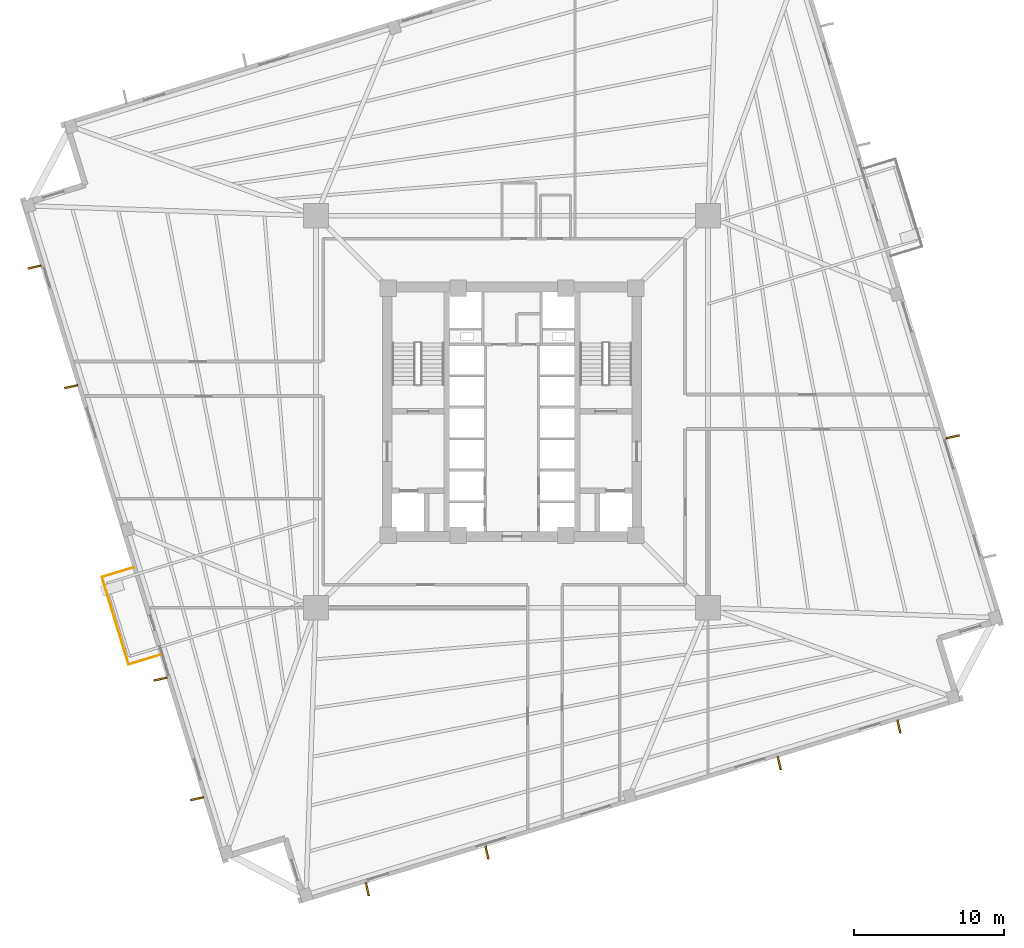
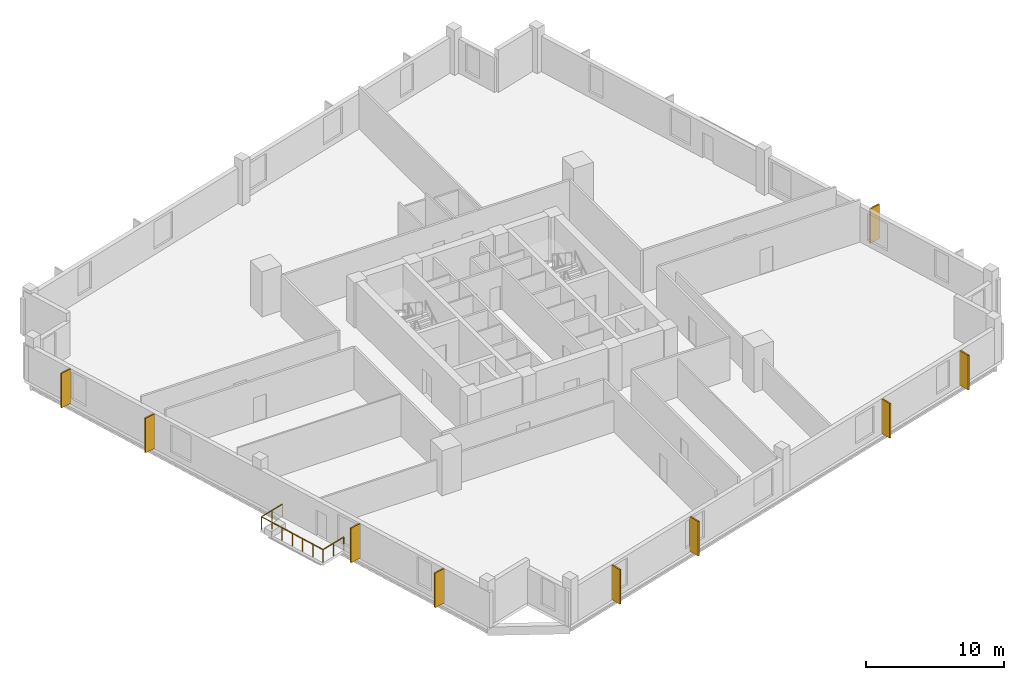
# One storey, part 7 of 9: 9 coverings, 3 railings.
"""IFC4 building model written with IfcOpenShell, lengths in metres."""

from ifc_helpers import new_model, si_unit, direction, frame, origin, origin_2d, place, context, subcontext, project, spatial, rectangle, circle, extrude, source, transform, mapped, material, layer, layer_set, type_object, element, save


model = new_model("IFC4")

# Units and contexts
model_context = context("Model", 3, precision=1e-05, world=origin(), true_north=direction((0.0, 1.0)))
body_context = subcontext(model_context, "Body", "Model", "MODEL_VIEW")
ifc_project = project(units=[si_unit("LENGTHUNIT", "METRE"), si_unit("AREAUNIT", "SQUARE_METRE"), si_unit("VOLUMEUNIT", "CUBIC_METRE"), si_unit("PLANEANGLEUNIT", "RADIAN"), si_unit("MASSUNIT", "GRAM", prefix="KILO"), si_unit("THERMODYNAMICTEMPERATUREUNIT", "KELVIN")], contexts=[model_context])

# Site, building, storey
site_placement = place(None, origin())
site = spatial("IfcSite", under=ifc_project, at=site_placement, CompositionType="ELEMENT")
building_placement = place(site_placement, origin())
building = spatial("IfcBuilding", under=site, at=building_placement, Name="Kosmvard Interchange Tower", CompositionType="ELEMENT")
storey_placement = place(building_placement, frame((0.0, 0.0, 131.199951171875)))
storey = spatial("IfcBuildingStorey", under=building, at=storey_placement, Name="L31", CompositionType="ELEMENT", Elevation=131.199951171875)

# Coverings
ifc_material_1 = material(Name="Architectural anodised aluminium", Category="aluminium")
ifc_layer = layer(ifc_material_1, 0.1201171875, Name="Architectural anodised aluminium")
ifc_layer_set = layer_set([ifc_layer], Name="Architectural anodised aluminium")
covering_type = type_object("IfcCoveringType", Name="Rotating Vertical Sun-Breaker Fin 900x120 Aluminium", PredefinedType="CLADDING", material=ifc_layer_set)
shared_shape_1 = source(origin(), body_context, "Body", "SweptSolid", [
    extrude(rectangle(XDim=0.89990234375, YDim=0.1201171875, at=origin_2d()), origin(), (0.0, 0.0, 1.0), 3.06005859375),
])
for number, where, z_axis, x_axis, name in (
    (1, (-9.6572265625, -31.865966796875, 0.0400390625), (0.0, 0.0, 1.0), (0.220186716747, -0.975457743712, 0.0), "L31 Rotating Vertical Sun-Breaker Fin 01"),
    (2, (-1.673583984375, -29.425048828125, 0.0400390625), (0.0, 0.0, 1.0), (0.220186716747, -0.975457743712, 0.0), "L31 Rotating Vertical Sun-Breaker Fin 02"),
    (3, (17.841796875, -23.45849609375, 0.0400390625), (0.0, 0.0, 1.0), (0.220186716747, -0.975457743712, 0.0), "L31 Rotating Vertical Sun-Breaker Fin 03"),
    (4, (25.825439453125, -21.017822265625, 0.0400390625), (0.0, 0.0, 1.0), (0.220186716747, -0.975457743712, 0.0), "L31 Rotating Vertical Sun-Breaker Fin 04"),
    (5, (29.425048828125, -1.673583984375, 0.0400390625), (0.0, 0.0, 1.0), (0.975457743712, 0.220186716747, 0.0), "L31 Rotating Vertical Sun-Breaker Fin 06"),
    (6, (-31.865966796875, 9.6572265625, 0.0400390625), (0.0, 0.0, 1.0), (-0.975457743712, -0.220186716747, 0.0), "L31 Rotating Vertical Sun-Breaker Fin 13"),
    (7, (-29.425048828125, 1.673583984375, 0.0400390625), (0.0, 0.0, 1.0), (-0.975457743712, -0.220186716747, 0.0), "L31 Rotating Vertical Sun-Breaker Fin 14"),
    (8, (-23.45849609375, -17.841796875, 0.0400390625), (0.0, 0.0, 1.0), (-0.975457743712, -0.220186716747, 0.0), "L31 Rotating Vertical Sun-Breaker Fin 15"),
    (9, (-21.017822265625, -25.825439453125, 0.0400390625), (0.0, 0.0, 1.0), (-0.975457743712, -0.220186716747, 0.0), "L31 Rotating Vertical Sun-Breaker Fin 16"),
):
    element("IfcCovering", number, at=place(storey_placement, frame(where, z_axis=z_axis, x_axis=x_axis)), inside=storey, type_object=covering_type, Name=name, PredefinedType="CLADDING", context=body_context, shape_type="MappedRepresentation", body=[
        mapped(shared_shape_1, transform((0.0, 0.0, 0.0), scale=1.0)),
    ])

# Railings
ifc_material_2 = material(Name="Steel S355", Category="steel")
railing_type = type_object("IfcRailingType", Name="Observation & Balcony Glass-Infill Balustrade 1150", PredefinedType="BALUSTRADE", material=ifc_material_2)
shared_shape_2 = source(origin(), body_context, "Body", "SweptSolid", [
    extrude(circle(Radius=0.02392578125, at=origin_2d()), frame((0.0, 0.0, 1.1259765625), z_axis=(0.956329170869, 0.292291835236, 0.0), x_axis=(-0.292291835236, 0.956329170869, 0.0)), (0.0, 0.0, 1.0), 2.2001953125),
    extrude(circle(Radius=0.02099609375, at=origin_2d()), origin(), (0.0, 0.0, 1.0), 1.101806640625),
    extrude(circle(Radius=0.02099609375, at=origin_2d()), frame((1.052001953125, 0.321533203125, 0.0)), (0.0, 0.0, 1.0), 1.101806640625),
    extrude(circle(Radius=0.02099609375, at=origin_2d()), frame((2.10400390625, 0.64306640625, 0.0)), (0.0, 0.0, 1.0), 1.101806640625),
])
railing_1_placement = place(storey_placement, frame((-25.58642578125, -16.86767578125, 0.0)))
element("IfcRailing", 10, at=railing_1_placement, inside=storey, type_object=railing_type, Name="L31 Outdoor Terrace Guard BAL-L31-W-C", PredefinedType="BALUSTRADE", context=body_context, shape_type="MappedRepresentation", body=[
    mapped(shared_shape_2, transform((0.0, 0.0, 0.0), scale=1.0)),
])
shared_shape_3 = source(origin(), body_context, "Body", "SweptSolid", [
    extrude(circle(Radius=0.02392578125, at=origin_2d()), frame((0.0, 0.0, 1.1259765625), z_axis=(-0.956329170869, -0.292291835236, 0.0), x_axis=(0.292291835236, -0.956329170869, 0.0)), (0.0, 0.0, 1.0), 2.2001953125),
    extrude(circle(Radius=0.02099609375, at=origin_2d()), origin(), (0.0, 0.0, 1.0), 1.101806640625),
    extrude(circle(Radius=0.02099609375, at=origin_2d()), frame((-1.052001953125, -0.321533203125, 0.0)), (0.0, 0.0, 1.0), 1.101806640625),
    extrude(circle(Radius=0.02099609375, at=origin_2d()), frame((-2.10400390625, -0.64306640625, 0.0)), (0.0, 0.0, 1.0), 1.101806640625),
])
railing_2_placement = place(storey_placement, frame((-25.265869140625, -10.39111328125, 0.0)))
element("IfcRailing", 11, at=railing_2_placement, inside=storey, type_object=railing_type, Name="L31 Outdoor Terrace Guard BAL-L31-W-A", PredefinedType="BALUSTRADE", context=body_context, shape_type="MappedRepresentation", body=[
    mapped(shared_shape_3, transform((0.0, 0.0, 0.0), scale=1.0)),
])
shared_shape_4 = source(origin(), body_context, "Body", "SweptSolid", [
    extrude(circle(Radius=0.02392578125, at=origin_2d()), frame((0.0, 0.0, 1.1259765625), z_axis=(0.292366986664, -0.956306198406, 0.0), x_axis=(0.956306198406, 0.292366986664, 0.0)), (0.0, 0.0, 1.0), 6.10009765625),
    extrude(circle(Radius=0.02099609375, at=origin_2d()), origin(), (0.0, 0.0, 1.0), 1.101806640625),
    extrude(circle(Radius=0.02099609375, at=origin_2d()), frame((0.29736328125, -0.97216796875, 0.0)), (0.0, 0.0, 1.0), 1.101806640625),
    extrude(circle(Radius=0.02099609375, at=origin_2d()), frame((0.594482421875, -1.944580078125, 0.0)), (0.0, 0.0, 1.0), 1.101806640625),
    extrude(circle(Radius=0.02099609375, at=origin_2d()), frame((0.8916015625, -2.916748046875, 0.0)), (0.0, 0.0, 1.0), 1.101806640625),
    extrude(circle(Radius=0.02099609375, at=origin_2d()), frame((1.18896484375, -3.888916015625, 0.0)), (0.0, 0.0, 1.0), 1.101806640625),
    extrude(circle(Radius=0.02099609375, at=origin_2d()), frame((1.486328125, -4.861328125, 0.0)), (0.0, 0.0, 1.0), 1.101806640625),
    extrude(circle(Radius=0.02099609375, at=origin_2d()), frame((1.783447265625, -5.83349609375, 0.0)), (0.0, 0.0, 1.0), 1.101806640625),
])
railing_3_placement = place(storey_placement, frame((-27.369873046875, -11.0341796875, 0.0)))
element("IfcRailing", 12, at=railing_3_placement, inside=storey, type_object=railing_type, Name="L31 Outdoor Terrace Guard BAL-L31-W-B", PredefinedType="BALUSTRADE", context=body_context, shape_type="MappedRepresentation", body=[
    mapped(shared_shape_4, transform((0.0, 0.0, 0.0), scale=1.0)),
])

save(model, "model.ifc")
